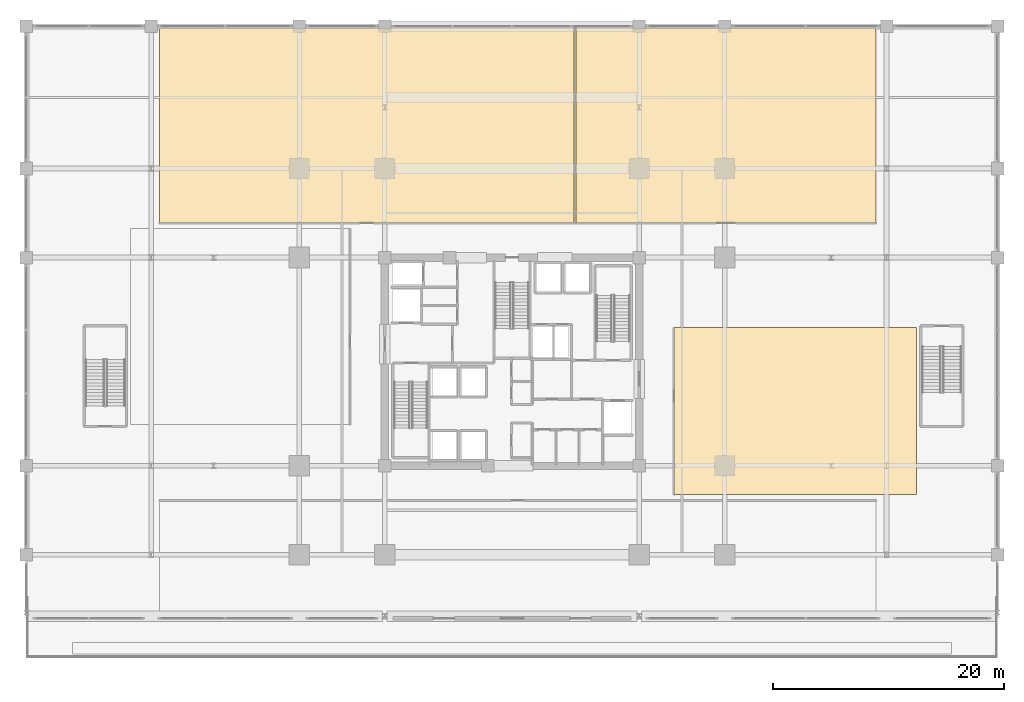
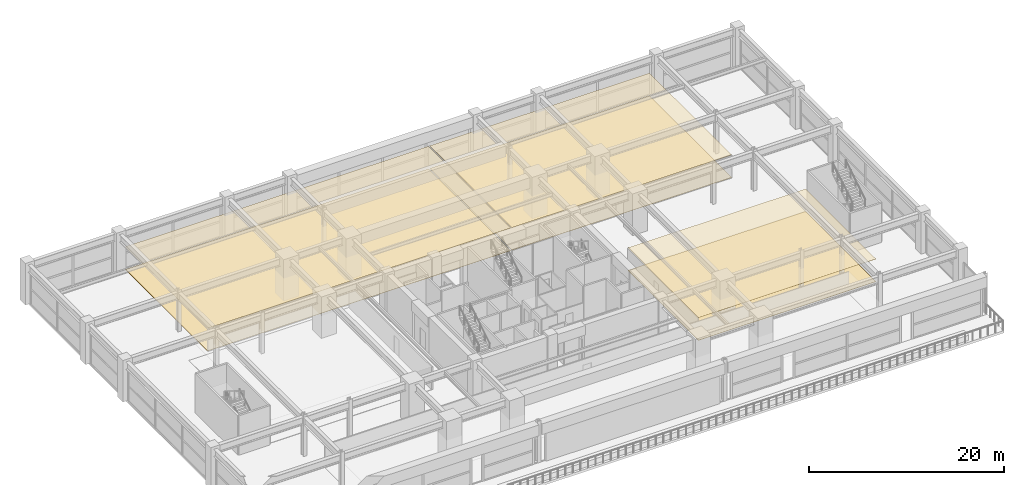
# One storey, part 42 of 43: 6 coverings.
"""IFC4 building model written with IfcOpenShell, lengths in metres."""

from ifc_helpers import new_model, si_unit, direction, frame, origin, place, context, subcontext, project, spatial, polyline, outline, extrude, material, layer, layer_set, type_object, element, save


model = new_model("IFC4")

# Units and contexts
model_context = context("Model", 3, precision=1e-05, world=origin(), true_north=direction((0.0, 1.0)))
body_context = subcontext(model_context, "Body", "Model", "MODEL_VIEW")
ifc_project = project(units=[si_unit("LENGTHUNIT", "METRE"), si_unit("AREAUNIT", "SQUARE_METRE"), si_unit("VOLUMEUNIT", "CUBIC_METRE"), si_unit("PLANEANGLEUNIT", "RADIAN"), si_unit("MASSUNIT", "GRAM", prefix="KILO")], contexts=[model_context])

# Site, building, storey
site_placement = place(None, origin())
site = spatial("IfcSite", under=ifc_project, at=site_placement, CompositionType="ELEMENT")
building_placement = place(site_placement, origin())
building = spatial("IfcBuilding", under=site, at=building_placement, Name="Kovane Verandah Tower", CompositionType="ELEMENT")
storey_placement = place(building_placement, frame((0.0, 0.0, 11.199951171875)))
storey = spatial("IfcBuildingStorey", under=building, at=storey_placement, Name="L02", CompositionType="ELEMENT", Elevation=11.199951171875)

# Coverings
ifc_material_1 = material(Name="Perforated Acoustic Mineral-Fibre Ceiling Tile", Category="gypsum")
ifc_layer_1 = layer(ifc_material_1, 0.02490234375)
ifc_layer_set_1 = layer_set([ifc_layer_1], Name="Perforated Acoustic Mineral-Fibre Ceiling Tile")
covering_type_1 = type_object("IfcCoveringType", Name="CV-CEIL-25", PredefinedType="CEILING", material=ifc_layer_set_1)
covering_1_placement = place(storey_placement, frame((0.0, 0.0, 2.824951171875)))
element("IfcCovering", 1, at=covering_1_placement, inside=storey, type_object=covering_type_1, Name="L02 North Exhibition Gallery Acoustic Ceiling", PredefinedType="CEILING", context=body_context, shape_type="SweptSolid", body=[
    extrude(outline(polyline([(9.5, 39.5), (45.3798828125, 39.5), (45.3798828125, 56.35009765625), (9.5, 56.35009765625), (9.5, 39.5)])), origin(), (0.0, 0.0, 1.0), 0.025146484375),
])
covering_2_placement = place(storey_placement, frame((0.0, 0.0, 2.824951171875)))
element("IfcCovering", 2, at=covering_2_placement, inside=storey, type_object=covering_type_1, Name="L02 Executive Seminar Auditorium Acoustic Ceiling", PredefinedType="CEILING", context=body_context, shape_type="SweptSolid", body=[
    extrude(outline(polyline([(45.52001953125, 39.5), (71.5, 39.5), (71.5, 56.35009765625), (45.52001953125, 56.35009765625), (45.52001953125, 39.5)])), origin(), (0.0, 0.0, 1.0), 0.025146484375),
])
covering_3_placement = place(storey_placement, frame((0.0, 0.0, 2.824951171875)))
element("IfcCovering", 3, at=covering_3_placement, inside=storey, type_object=covering_type_1, Name="L02 East Tenant Business Lounge Acoustic Ceiling", PredefinedType="CEILING", context=body_context, shape_type="SweptSolid", body=[
    extrude(outline(polyline([(54.0, 16.0), (75.0, 16.0), (75.0, 30.449951171875), (54.0, 30.449951171875), (54.0, 16.0)])), origin(), (0.0, 0.0, 1.0), 0.025146484375),
])
ifc_material_2 = material(Name="Polished Terrazzo and Raised-Access Carpet Tile Finish", Category="concrete")
ifc_layer_2 = layer(ifc_material_2, 0.030029296875)
ifc_layer_set_2 = layer_set([ifc_layer_2], Name="Polished Terrazzo and Raised-Access Carpet Tile Finish")
covering_type_2 = type_object("IfcCoveringType", Name="CV-FLOR-30", PredefinedType="FLOORING", material=ifc_layer_set_2)
covering_4_placement = place(storey_placement, origin())
element("IfcCovering", 4, at=covering_4_placement, inside=storey, type_object=covering_type_2, Name="L02 North Exhibition Gallery Floor Finish", PredefinedType="FLOORING", context=body_context, shape_type="SweptSolid", body=[
    extrude(outline(polyline([(9.5, 39.5), (45.3798828125, 39.5), (45.3798828125, 56.35009765625), (9.5, 56.35009765625), (9.5, 39.5)])), origin(), (0.0, 0.0, 1.0), 0.030029296875),
])
covering_5_placement = place(storey_placement, origin())
element("IfcCovering", 5, at=covering_5_placement, inside=storey, type_object=covering_type_2, Name="L02 Executive Seminar Auditorium Floor Finish", PredefinedType="FLOORING", context=body_context, shape_type="SweptSolid", body=[
    extrude(outline(polyline([(45.52001953125, 39.5), (71.5, 39.5), (71.5, 56.35009765625), (45.52001953125, 56.35009765625), (45.52001953125, 39.5)])), origin(), (0.0, 0.0, 1.0), 0.030029296875),
])
covering_6_placement = place(storey_placement, origin())
element("IfcCovering", 6, at=covering_6_placement, inside=storey, type_object=covering_type_2, Name="L02 East Tenant Business Lounge Floor Finish", PredefinedType="FLOORING", context=body_context, shape_type="SweptSolid", body=[
    extrude(outline(polyline([(54.0, 16.0), (75.0, 16.0), (75.0, 30.449951171875), (54.0, 30.449951171875), (54.0, 16.0)])), origin(), (0.0, 0.0, 1.0), 0.030029296875),
])

save(model, "model.ifc")
